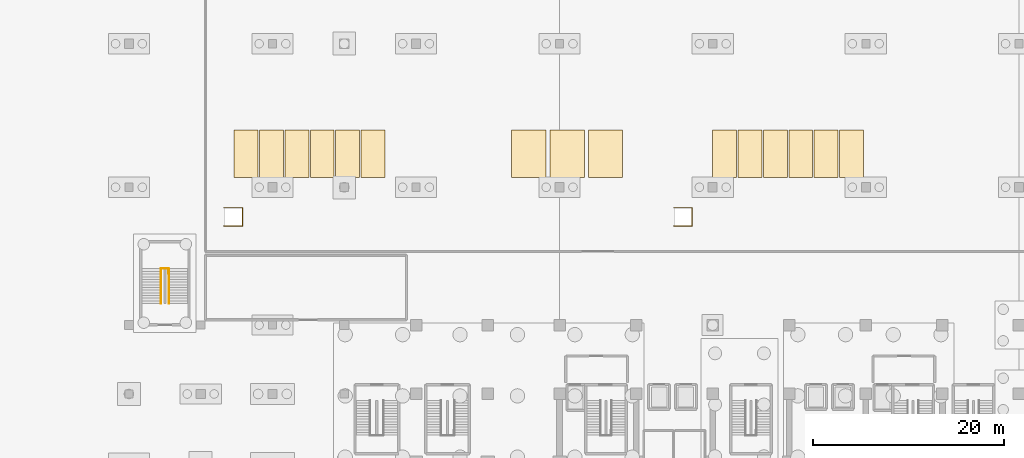
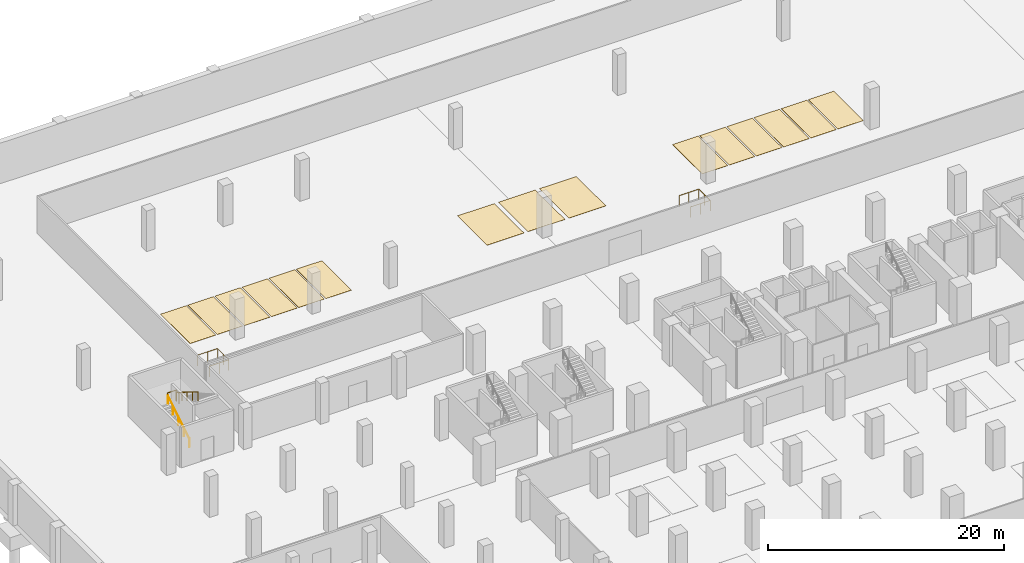
# One storey, part 23 of 26: 15 coverings, 5 railings.
"""IFC4 building model written with IfcOpenShell, lengths in metres."""

from ifc_helpers import new_model, si_unit, direction, frame, origin, origin_2d, place, context, subcontext, project, spatial, rectangle, circle, extrude, material, layer, layer_set, type_object, element, save


model = new_model("IFC4")

# Units and contexts
model_context = context("Model", 3, precision=1e-05, world=origin(), true_north=direction((0.0, 1.0)))
body_context = subcontext(model_context, "Body", "Model", "MODEL_VIEW")
ifc_project = project(units=[si_unit("LENGTHUNIT", "METRE"), si_unit("AREAUNIT", "SQUARE_METRE"), si_unit("VOLUMEUNIT", "CUBIC_METRE"), si_unit("PLANEANGLEUNIT", "RADIAN"), si_unit("MASSUNIT", "GRAM", prefix="KILO")], contexts=[model_context])

# Site, building, storey
site_placement = place(None, origin())
site = spatial("IfcSite", under=ifc_project, at=site_placement, CompositionType="ELEMENT")
building_placement = place(site_placement, origin())
building = spatial("IfcBuilding", under=site, at=building_placement, Name="Akrevak Sports Hall", CompositionType="ELEMENT")
storey_placement = place(building_placement, frame((0.0, 0.0, -9.0)))
storey = spatial("IfcBuildingStorey", under=building, at=storey_placement, Name="B02", CompositionType="ELEMENT", Elevation=-9.0)

# Coverings
ifc_material_1 = material(Name="Slate-Grey Stone Accessible Bay Topping", Category="stone")
ifc_layer_1 = layer(ifc_material_1, 0.014892578125, Name="Slate-Grey Stone Accessible Bay Topping")
ifc_layer_set_1 = layer_set([ifc_layer_1], Name="Slate-Grey Stone Accessible Bay Topping")
covering_type_1 = type_object("IfcCoveringType", Name="ARC-COV-PKBAY-ACC", PredefinedType="FLOORING", material=ifc_layer_set_1)
for number, where, z_axis, x_axis, name in (
    (1, (56.800048828125, 87.5, 0.0), (0.0, 0.0, 1.0), (1.0, 0.0, 0.0), "Accessible Parking Bay Marking B02-N04"),
    (2, (60.800048828125, 87.5, 0.0), (0.0, 0.0, 1.0), (1.0, 0.0, 0.0), "Accessible Parking Bay Marking B02-N05"),
    (3, (64.800048828125, 87.5, 0.0), (0.0, 0.0, 1.0), (1.0, 0.0, 0.0), "Accessible Parking Bay Marking B02-N06"),
):
    element("IfcCovering", number, at=place(storey_placement, frame(where, z_axis=z_axis, x_axis=x_axis)), inside=storey, type_object=covering_type_1, Name=name, PredefinedType="FLOORING", context=body_context, shape_type="SweptSolid", body=[
        extrude(rectangle(XDim=3.60009765625, YDim=5.0, at=origin_2d()), origin(), (0.0, 0.0, 1.0), 0.014892578125),
    ])
ifc_material_2 = material(Name="Polished Terrazzo Bay Topping", Category="stone")
ifc_layer_2 = layer(ifc_material_2, 0.014892578125, Name="Polished Terrazzo Bay Topping")
ifc_layer_set_2 = layer_set([ifc_layer_2], Name="Polished Terrazzo Bay Topping")
covering_type_2 = type_object("IfcCoveringType", Name="ARC-COV-PKBAY-STD", PredefinedType="FLOORING", material=ifc_layer_set_2)
for number, where, z_axis, x_axis, name in (
    (4, (27.25, 87.5, 0.0), (0.0, 0.0, 1.0), (1.0, 0.0, 0.0), "Standard Parking Bay Marking B02-N29"),
    (5, (29.89990234375, 87.5, 0.0), (0.0, 0.0, 1.0), (1.0, 0.0, 0.0), "Standard Parking Bay Marking B02-N30"),
    (6, (32.550048828125, 87.5, 0.0), (0.0, 0.0, 1.0), (1.0, 0.0, 0.0), "Standard Parking Bay Marking B02-N31"),
    (7, (35.199951171875, 87.5, 0.0), (0.0, 0.0, 1.0), (1.0, 0.0, 0.0), "Standard Parking Bay Marking B02-N32"),
    (8, (37.85009765625, 87.5, 0.0), (0.0, 0.0, 1.0), (1.0, 0.0, 0.0), "Standard Parking Bay Marking B02-N33"),
    (9, (40.5, 87.5, 0.0), (0.0, 0.0, 1.0), (1.0, 0.0, 0.0), "Standard Parking Bay Marking B02-N34"),
    (10, (77.25, 87.5, 0.0), (0.0, 0.0, 1.0), (1.0, 0.0, 0.0), "Standard Parking Bay Marking B02-N35"),
    (11, (79.89990234375, 87.5, 0.0), (0.0, 0.0, 1.0), (1.0, 0.0, 0.0), "Standard Parking Bay Marking B02-N36"),
    (12, (82.550048828125, 87.5, 0.0), (0.0, 0.0, 1.0), (1.0, 0.0, 0.0), "Standard Parking Bay Marking B02-N37"),
    (13, (85.199951171875, 87.5, 0.0), (0.0, 0.0, 1.0), (1.0, 0.0, 0.0), "Standard Parking Bay Marking B02-N38"),
    (14, (87.85009765625, 87.5, 0.0), (0.0, 0.0, 1.0), (1.0, 0.0, 0.0), "Standard Parking Bay Marking B02-N39"),
    (15, (90.5, 87.5, 0.0), (0.0, 0.0, 1.0), (1.0, 0.0, 0.0), "Standard Parking Bay Marking B02-N40"),
):
    element("IfcCovering", number, at=place(storey_placement, frame(where, z_axis=z_axis, x_axis=x_axis)), inside=storey, type_object=covering_type_2, Name=name, PredefinedType="FLOORING", context=body_context, shape_type="SweptSolid", body=[
        extrude(rectangle(XDim=2.5, YDim=5.0, at=origin_2d()), origin(), (0.0, 0.0, 1.0), 0.014892578125),
    ])

# Railings
ifc_material_3 = material(Name="Painted Architectural Balustrade Steel", Category="steel")
ifc_layer_3 = layer(ifc_material_3, 0.06005859375, Name="Painted Architectural Balustrade Steel")
ifc_layer_set_3 = layer_set([ifc_layer_3], Name="Painted Architectural Balustrade Steel")
railing_type_1 = type_object("IfcRailingType", Name="ARC-RL-GRD-1120", PredefinedType="GUARDRAIL", material=ifc_layer_set_3)
railing_1_placement = place(storey_placement, frame((18.330078125, 75.52001953125, 2.25)))
element("IfcRailing", 16, at=railing_1_placement, inside=storey, type_object=railing_type_1, Name="Stair Landing Well Guard ST6-B02-1", PredefinedType="GUARDRAIL", context=body_context, shape_type="SweptSolid", body=[
    extrude(circle(Radius=0.02392578125, at=origin_2d()), frame((0.0, 0.0, 1.09619140625), z_axis=(1.0, 0.0, 0.0), x_axis=(0.0, 1.0, 0.0)), (0.0, 0.0, 1.0), 0.809814453125),
    extrude(circle(Radius=0.02392578125, at=origin_2d()), frame((0.809814453125, 0.0, 1.09619140625), z_axis=(0.0, -1.0, 0.0), x_axis=(1.0, 0.0, 0.0)), (0.0, 0.0, 1.0), 0.52001953125),
    extrude(circle(Radius=0.02099609375, at=origin_2d()), origin(), (0.0, 0.0, 1.0), 1.072021484375),
    extrude(circle(Radius=0.02099609375, at=origin_2d()), frame((0.809814453125, 0.0, 0.0)), (0.0, 0.0, 1.0), 1.072021484375),
    extrude(circle(Radius=0.02099609375, at=origin_2d()), frame((0.809814453125, -0.52001953125, 0.0)), (0.0, 0.0, 1.0), 1.072021484375),
])
for number, where, name in (
    (17, (24.93994140625, 79.93994140625, 0.0), "B02 Sump Pit Safety Guardrail 2"),
    (18, (71.93994140625, 79.93994140625, 0.0), "B02 Sump Pit Safety Guardrail 4"),
):
    element("IfcRailing", number, at=place(storey_placement, frame(where)), inside=storey, type_object=railing_type_1, Name=name, PredefinedType="GUARDRAIL", context=body_context, shape_type="SweptSolid", body=[
        extrude(circle(Radius=0.02392578125, at=origin_2d()), frame((0.0, 0.0, 1.09619140625), z_axis=(1.0, 0.0, 0.0), x_axis=(0.0, 1.0, 0.0)), (0.0, 0.0, 1.0), 1.920166015625),
        extrude(circle(Radius=0.02392578125, at=origin_2d()), frame((1.920166015625, 0.0, 1.09619140625), z_axis=(0.0, 1.0, 0.0), x_axis=(-1.0, 0.0, 0.0)), (0.0, 0.0, 1.0), 1.920166015625),
        extrude(circle(Radius=0.02392578125, at=origin_2d()), frame((1.920166015625, 1.920166015625, 1.09619140625), z_axis=(-1.0, 0.0, 0.0), x_axis=(0.0, -1.0, 0.0)), (0.0, 0.0, 1.0), 1.920166015625),
        extrude(circle(Radius=0.02099609375, at=origin_2d()), origin(), (0.0, 0.0, 1.0), 1.072021484375),
        extrude(circle(Radius=0.02099609375, at=origin_2d()), frame((0.9599609375, 0.0, 0.0)), (0.0, 0.0, 1.0), 1.072021484375),
        extrude(circle(Radius=0.02099609375, at=origin_2d()), frame((1.920166015625, 0.0, 0.0)), (0.0, 0.0, 1.0), 1.072021484375),
        extrude(circle(Radius=0.02099609375, at=origin_2d()), frame((1.920166015625, 0.9599609375, 0.0)), (0.0, 0.0, 1.0), 1.072021484375),
        extrude(circle(Radius=0.02099609375, at=origin_2d()), frame((1.920166015625, 1.920166015625, 0.0)), (0.0, 0.0, 1.0), 1.072021484375),
        extrude(circle(Radius=0.02099609375, at=origin_2d()), frame((0.9599609375, 1.920166015625, 0.0)), (0.0, 0.0, 1.0), 1.072021484375),
        extrude(circle(Radius=0.02099609375, at=origin_2d()), frame((0.0, 1.920166015625, 0.0)), (0.0, 0.0, 1.0), 1.072021484375),
    ])
ifc_material_4 = material(Name="Brushed Stainless Steel 304", Category="steel")
ifc_layer_4 = layer(ifc_material_4, 0.050048828125, Name="Brushed Stainless Steel 304")
ifc_layer_set_4 = layer_set([ifc_layer_4], Name="Brushed Stainless Steel 304")
railing_type_2 = type_object("IfcRailingType", Name="ARC-RL-HND-900", PredefinedType="HANDRAIL", material=ifc_layer_set_4)
railing_2_placement = place(storey_placement, frame((18.330078125, 71.85009765625, 0.0)))
element("IfcRailing", 19, at=railing_2_placement, inside=storey, type_object=railing_type_2, Name="Stair Handrail ST6-B02-F1", PredefinedType="HANDRAIL", context=body_context, shape_type="SweptSolid", body=[
    extrude(circle(Radius=0.02392578125, at=origin_2d()), frame((0.0, 0.0, 0.8759765625), z_axis=(0.0, 0.850606632239, 0.525802583857), x_axis=(-1.0, 0.0, 0.0)), (0.0, 0.0, 1.0), 4.279052734375),
    extrude(circle(Radius=0.02099609375, at=origin_2d()), origin(), (0.0, 0.0, 1.0), 0.851806640625),
    extrude(circle(Radius=0.02099609375, at=origin_2d()), frame((0.0, 0.909912109375, 0.5625)), (0.0, 0.0, 1.0), 0.851806640625),
    extrude(circle(Radius=0.02099609375, at=origin_2d()), frame((0.0, 1.81982421875, 1.125)), (0.0, 0.0, 1.0), 0.851806640625),
    extrude(circle(Radius=0.02099609375, at=origin_2d()), frame((0.0, 2.72998046875, 1.6875)), (0.0, 0.0, 1.0), 0.851806640625),
    extrude(circle(Radius=0.02099609375, at=origin_2d()), frame((0.0, 3.639892578125, 2.25)), (0.0, 0.0, 1.0), 0.851806640625),
])
railing_3_placement = place(storey_placement, frame((19.169921875, 75.489990234375, 2.25)))
element("IfcRailing", 20, at=railing_3_placement, inside=storey, type_object=railing_type_2, Name="Stair Handrail ST6-B02-F2", PredefinedType="HANDRAIL", context=body_context, shape_type="SweptSolid", body=[
    extrude(circle(Radius=0.02392578125, at=origin_2d()), frame((0.0, 0.0, 0.8759765625), z_axis=(0.0, -0.850606632239, 0.525802583857), x_axis=(1.0, 0.0, 0.0)), (0.0, 0.0, 1.0), 4.279052734375),
    extrude(circle(Radius=0.02099609375, at=origin_2d()), origin(), (0.0, 0.0, 1.0), 0.851806640625),
    extrude(circle(Radius=0.02099609375, at=origin_2d()), frame((0.0, -0.909912109375, 0.5625)), (0.0, 0.0, 1.0), 0.851806640625),
    extrude(circle(Radius=0.02099609375, at=origin_2d()), frame((0.0, -1.81982421875, 1.125)), (0.0, 0.0, 1.0), 0.851806640625),
    extrude(circle(Radius=0.02099609375, at=origin_2d()), frame((0.0, -2.72998046875, 1.6875)), (0.0, 0.0, 1.0), 0.851806640625),
    extrude(circle(Radius=0.02099609375, at=origin_2d()), frame((0.0, -3.639892578125, 2.25)), (0.0, 0.0, 1.0), 0.851806640625),
])

save(model, "model.ifc")
